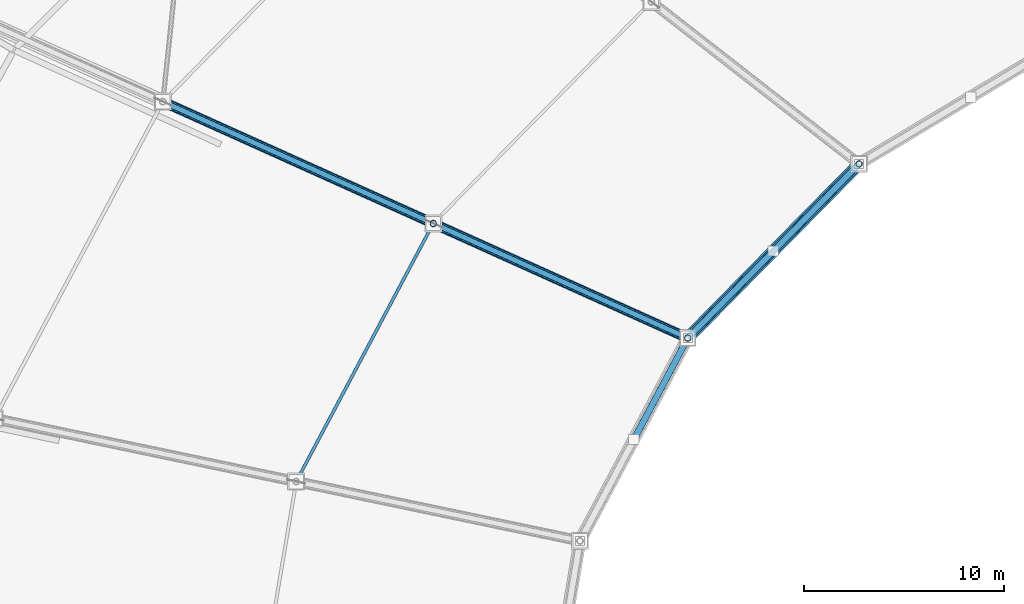
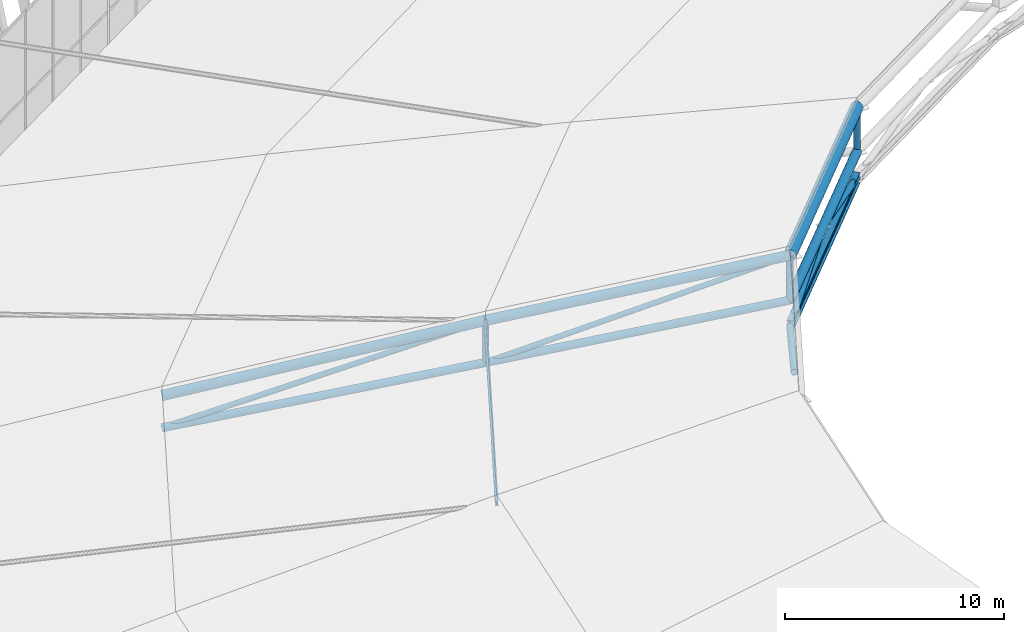
# One storey, part 30 of 115: 15 members, 1 beam.
"""IFC4 building model written with IfcOpenShell, lengths in metres."""

from ifc_helpers import new_model, si_unit, direction, frame, origin, origin_2d, place, context, subcontext, project, spatial, hollow_circle, i_section, extrude, material, material_profile, profile_set, type_object, element, save


model = new_model("IFC4")

# Units and contexts
model_context = context("Model", 3, precision=1e-05, world=origin(), true_north=direction((0.0, 1.0)))
body_context = subcontext(model_context, "Body", "Model", "MODEL_VIEW")
ifc_project = project(units=[si_unit("LENGTHUNIT", "METRE"), si_unit("AREAUNIT", "SQUARE_METRE"), si_unit("VOLUMEUNIT", "CUBIC_METRE"), si_unit("PLANEANGLEUNIT", "RADIAN"), si_unit("MASSUNIT", "GRAM", prefix="KILO")], contexts=[model_context])

# Site, building, storey
site_placement = place(None, origin())
site = spatial("IfcSite", under=ifc_project, at=site_placement, CompositionType="ELEMENT")
building_placement = place(site_placement, origin())
building = spatial("IfcBuilding", under=site, at=building_placement, Name="Zlatoyarsky Gate Stadium", CompositionType="ELEMENT")
storey_placement = place(building_placement, frame((0.0, 0.0, 31.800048828125)))
storey = spatial("IfcBuildingStorey", under=building, at=storey_placement, Name="RF", CompositionType="ELEMENT", Elevation=31.800048828125)

# Members
ifc_material = material(Name="Steel S355", Category="steel")
ifc_material_profile_1 = material_profile(ifc_material, hollow_circle(Radius=0.228515625, WallThickness=0.02490234375, at=origin_2d()), Name="CHS 457X25")
ifc_profile_set_1 = profile_set([ifc_material_profile_1], Name="Steel S355")
member_type_1 = type_object("IfcMemberType", Name="STEEL ARCH BOTTOM CHORD CHS 457X25", PredefinedType="CHORD", material=ifc_profile_set_1)
member_1_placement = place(storey_placement, frame((72.8056640625, 109.7939453125, 6.449951171875), z_axis=(-0.701258917911, -0.712906676957, 0.0), x_axis=(0.712906676957, -0.701258917911, 0.0)))
element("IfcMember", 1, at=member_1_placement, inside=storey, type_object=member_type_1, Name="Inner tension ring bottom chord 09", PredefinedType="CHORD", context=body_context, shape_type="SweptSolid", body=[
    extrude(hollow_circle(Radius=0.228515625, WallThickness=0.02490234375, at=origin_2d()), origin(), (0.0, 0.0, 1.0), 12.24072265625),
])
ifc_material_profile_2 = material_profile(ifc_material, hollow_circle(Radius=0.203125, WallThickness=0.02001953125, at=origin_2d()), Name="CHS 406.4X20")
ifc_profile_set_2 = profile_set([ifc_material_profile_2], Name="Steel S355")
member_type_2 = type_object("IfcMemberType", Name="STEEL ARCH INNER CHORD CHS 406.4X20", PredefinedType="CHORD", material=ifc_profile_set_2)
member_2_placement = place(storey_placement, frame((37.921875, 112.912109375, 1.349853515625), z_axis=(0.898147365371, -0.404501335329, 0.172365831283), x_axis=(0.410647494478, 0.911794184714, 0.0)))
element("IfcMember", 2, at=member_2_placement, inside=storey, type_object=member_type_2, Name="Radial truss R11 bottom chord 2", PredefinedType="CHORD", context=body_context, shape_type="SweptSolid", body=[
    extrude(hollow_circle(Radius=0.203125, WallThickness=0.02001953125, at=origin_2d()), origin(), (0.0, 0.0, 1.0), 15.084716796875),
])
member_3_placement = place(storey_placement, frame((51.47021484375, 106.810302734375, 3.949951171875), z_axis=(0.897565514488, -0.404239586393, 0.175973020646), x_axis=(0.410647748687, 0.911794070226, 0.0)))
element("IfcMember", 3, at=member_3_placement, inside=storey, type_object=member_type_2, Name="Radial truss R11 bottom chord 3", PredefinedType="CHORD", context=body_context, shape_type="SweptSolid", body=[
    extrude(hollow_circle(Radius=0.203125, WallThickness=0.02001953125, at=origin_2d()), origin(), (0.0, 0.0, 1.0), 14.206787109375),
])
ifc_material_profile_3 = material_profile(ifc_material, hollow_circle(Radius=0.25390625, WallThickness=0.02490234375, at=origin_2d()), Name="CHS 508X25")
ifc_profile_set_3 = profile_set([ifc_material_profile_3], Name="Steel S355")
member_type_3 = type_object("IfcMemberType", Name="STEEL ARCH TOP CHORD CHS 508X25", PredefinedType="CHORD", material=ifc_profile_set_3)
member_4_placement = place(storey_placement, frame((37.921875, 112.912109375, 3.14990234375), z_axis=(0.891969630236, -0.40171905014, 0.207393306284), x_axis=(0.410647494478, 0.911794184714, 0.0)))
element("IfcMember", 4, at=member_4_placement, inside=storey, type_object=member_type_3, Name="Radial truss R11 top chord 2", PredefinedType="CHORD", context=body_context, shape_type="SweptSolid", body=[
    extrude(hollow_circle(Radius=0.25390625, WallThickness=0.02490234375, at=origin_2d()), origin(), (0.0, 0.0, 1.0), 15.189208984375),
])
member_5_placement = place(storey_placement, frame((51.47021484375, 106.810302734375, 6.300048828125), z_axis=(0.895853875894, -0.403468709988, 0.18616882958), x_axis=(0.410647748687, 0.911794070226, 0.0)))
element("IfcMember", 5, at=member_5_placement, inside=storey, type_object=member_type_3, Name="Radial truss R11 top chord 3", PredefinedType="CHORD", context=body_context, shape_type="SweptSolid", body=[
    extrude(hollow_circle(Radius=0.25390625, WallThickness=0.02490234375, at=origin_2d()), origin(), (0.0, 0.0, 1.0), 14.23388671875),
])
ifc_material_profile_4 = material_profile(ifc_material, i_section(OverallWidth=0.14990234375, OverallDepth=0.300048828125, WebThickness=0.007080078125, FlangeThickness=0.0107421875, FilletRadius=0.014892578125, at=origin_2d()), Name="IPE 300")
ifc_profile_set_4 = profile_set([ifc_material_profile_4], Name="Steel S355")
member_type_4 = type_object("IfcMemberType", Name="STEEL BOWL ROOF PURLIN IPE 300", PredefinedType="PURLIN", material=ifc_profile_set_4)
member_6_placement = place(storey_placement, frame((51.47021484375, 106.810302734375, 6.329833984375), z_axis=(-0.468975198418, -0.883211335564, 0.0), x_axis=(0.883211335564, -0.468975198418, 0.0)))
element("IfcMember", 6, at=member_6_placement, inside=storey, type_object=member_type_4, Name="Stadium roof purlin 10.2", PredefinedType="PURLIN", context=body_context, shape_type="SweptSolid", body=[
    extrude(i_section(OverallWidth=0.14990234375, OverallDepth=0.300048828125, WebThickness=0.007080078125, FlangeThickness=0.0107421875, FilletRadius=0.014892578125, at=origin_2d()), origin(), (0.0, 0.0, 1.0), 14.642333984375),
])

# Beam
ifc_material_profile_5 = material_profile(ifc_material, i_section(OverallWidth=0.300048828125, OverallDepth=0.60009765625, WebThickness=0.015380859375, FlangeThickness=0.030029296875, FilletRadius=0.027099609375, at=origin_2d()), Name="HEB 600")
ifc_profile_set_5 = profile_set([ifc_material_profile_5], Name="Steel S355")
beam_type = type_object("IfcBeamType", Name="STEEL INNER CATWALK RING BEAM HEB 600", PredefinedType="USERDEFINED", material=ifc_profile_set_5)
beam_placement = place(storey_placement, frame((72.8056640625, 109.7939453125, 5.0), z_axis=(-0.701258917911, -0.712906676957, 0.0), x_axis=(0.712906676957, -0.701258917911, 0.0)))
element("IfcBeam", 7, at=beam_placement, inside=storey, type_object=beam_type, Name="Inner lighting catwalk ring beam 09", ObjectType="RING BEAM", PredefinedType="USERDEFINED", context=body_context, shape_type="SweptSolid", body=[
    extrude(i_section(OverallWidth=0.300048828125, OverallDepth=0.60009765625, WebThickness=0.015380859375, FlangeThickness=0.030029296875, FilletRadius=0.027099609375, at=origin_2d()), origin(), (0.0, 0.0, 1.0), 12.24072265625),
])

# Members
ifc_material_profile_6 = material_profile(ifc_material, hollow_circle(Radius=0.136474609375, WallThickness=0.01611328125, at=origin_2d()), Name="CHS 273X16")
ifc_profile_set_6 = profile_set([ifc_material_profile_6], Name="Steel S355")
member_type_5 = type_object("IfcMemberType", Name="STEEL ROOF TRUSS DIAGONAL CHS 273X16", PredefinedType="BRACE", material=ifc_profile_set_6)
member_7_placement = place(storey_placement, frame((37.921875, 112.912109375, 1.349853515625), z_axis=(0.865052822884, -0.389596446505, 0.316066800678), x_axis=(0.410647494478, 0.911794184714, 0.0)))
element("IfcMember", 8, at=member_7_placement, inside=storey, type_object=member_type_5, Name="Radial truss R11 web diagonal 2", PredefinedType="BRACE", context=body_context, shape_type="SweptSolid", body=[
    extrude(hollow_circle(Radius=0.136474609375, WallThickness=0.01611328125, at=origin_2d()), origin(), (0.0, 0.0, 1.0), 15.661865234375),
])
member_8_placement = place(storey_placement, frame((51.47021484375, 106.810302734375, 3.949951171875), z_axis=(0.858570657818, -0.386677342214, 0.336655697341), x_axis=(0.410647748687, 0.911794070226, 0.0)))
element("IfcMember", 9, at=member_8_placement, inside=storey, type_object=member_type_5, Name="Radial truss R11 web diagonal 3", PredefinedType="BRACE", context=body_context, shape_type="SweptSolid", body=[
    extrude(hollow_circle(Radius=0.136474609375, WallThickness=0.01611328125, at=origin_2d()), origin(), (0.0, 0.0, 1.0), 14.85205078125),
])
ifc_material_profile_7 = material_profile(ifc_material, hollow_circle(Radius=0.304931640625, WallThickness=0.030029296875, at=origin_2d()), Name="CHS 610X30")
ifc_profile_set_7 = profile_set([ifc_material_profile_7], Name="Steel S355")
member_type_6 = type_object("IfcMemberType", Name="STEEL TENSION RING CHORD CHS 610X30", PredefinedType="CHORD", material=ifc_profile_set_7)
member_9_placement = place(storey_placement, frame((72.8056640625, 109.7939453125, 8.949951171875), z_axis=(-0.701258917911, -0.712906676957, 0.0), x_axis=(0.712906676957, -0.701258917911, 0.0)))
element("IfcMember", 10, at=member_9_placement, inside=storey, type_object=member_type_6, Name="Inner tension ring top chord 09", PredefinedType="CHORD", context=body_context, shape_type="SweptSolid", body=[
    extrude(hollow_circle(Radius=0.304931640625, WallThickness=0.030029296875, at=origin_2d()), origin(), (0.0, 0.0, 1.0), 12.24072265625),
])
ifc_material_profile_8 = material_profile(ifc_material, hollow_circle(Radius=0.161865234375, WallThickness=0.01611328125, at=origin_2d()), Name="CHS 323.9X16")
ifc_profile_set_8 = profile_set([ifc_material_profile_8], Name="Steel S355")
member_type_7 = type_object("IfcMemberType", Name="STEEL TRUSS WEB STRUT CHS 323.9X16", PredefinedType="STRUT", material=ifc_profile_set_8)
member_10_placement = place(storey_placement, frame((72.8056640625, 109.7939453125, 6.449951171875), z_axis=(0.0, 0.0, 1.0), x_axis=(1.0, 0.0, 0.0)))
element("IfcMember", 11, at=member_10_placement, inside=storey, type_object=member_type_7, Name="Radial truss R10 web strut 3", PredefinedType="STRUT", context=body_context, shape_type="SweptSolid", body=[
    extrude(hollow_circle(Radius=0.161865234375, WallThickness=0.01611328125, at=origin_2d()), origin(), (0.0, 0.0, 1.0), 2.5),
])
for number, where, z_axis, x_axis, name in (
    (12, (72.8056640625, 109.7939453125, 5.0), (-0.682371718253, -0.693705764996, 0.230523642475), (0.712906676957, -0.701258917911, 0.0), "Catwalk V-hanger strut 09A"),
    (13, (64.2216796875, 101.0673828125, 5.0), (0.682371718253, 0.693705764996, 0.230523642475), (-0.712906676957, 0.701258917911, 0.0), "Catwalk V-hanger strut 09B"),
):
    element("IfcMember", number, at=place(storey_placement, frame(where, z_axis=z_axis, x_axis=x_axis)), inside=storey, type_object=member_type_7, Name=name, PredefinedType="STRUT", context=body_context, shape_type="SweptSolid", body=[
        extrude(hollow_circle(Radius=0.161865234375, WallThickness=0.01611328125, at=origin_2d()), origin(), (0.0, 0.0, 1.0), 6.289794921875),
    ])
member_11_placement = place(storey_placement, frame((51.47021484375, 106.810302734375, 3.949951171875), z_axis=(0.0, 0.0, 1.0), x_axis=(1.0, 0.0, 0.0)))
element("IfcMember", 14, at=member_11_placement, inside=storey, type_object=member_type_7, Name="Radial truss R11 web strut 2", PredefinedType="STRUT", context=body_context, shape_type="SweptSolid", body=[
    extrude(hollow_circle(Radius=0.161865234375, WallThickness=0.01611328125, at=origin_2d()), origin(), (0.0, 0.0, 1.0), 2.35009765625),
])
member_12_placement = place(storey_placement, frame((64.2216796875, 101.0673828125, 6.449951171875), z_axis=(0.0, 0.0, 1.0), x_axis=(1.0, 0.0, 0.0)))
element("IfcMember", 15, at=member_12_placement, inside=storey, type_object=member_type_7, Name="Radial truss R11 web strut 3", PredefinedType="STRUT", context=body_context, shape_type="SweptSolid", body=[
    extrude(hollow_circle(Radius=0.161865234375, WallThickness=0.01611328125, at=origin_2d()), origin(), (0.0, 0.0, 1.0), 2.5),
])
member_13_placement = place(storey_placement, frame((64.2216796875, 101.0673828125, 5.0), z_axis=(-0.454756078435, -0.856427789738, 0.244393842171), x_axis=(0.883210208306, -0.468977321353, 0.0)))
element("IfcMember", 16, at=member_13_placement, inside=storey, type_object=member_type_7, Name="Catwalk V-hanger strut 10A", PredefinedType="STRUT", context=body_context, shape_type="SweptSolid", body=[
    extrude(hollow_circle(Radius=0.161865234375, WallThickness=0.01611328125, at=origin_2d()), origin(), (0.0, 0.0, 1.0), 5.932861328125),
])

save(model, "model.ifc")
